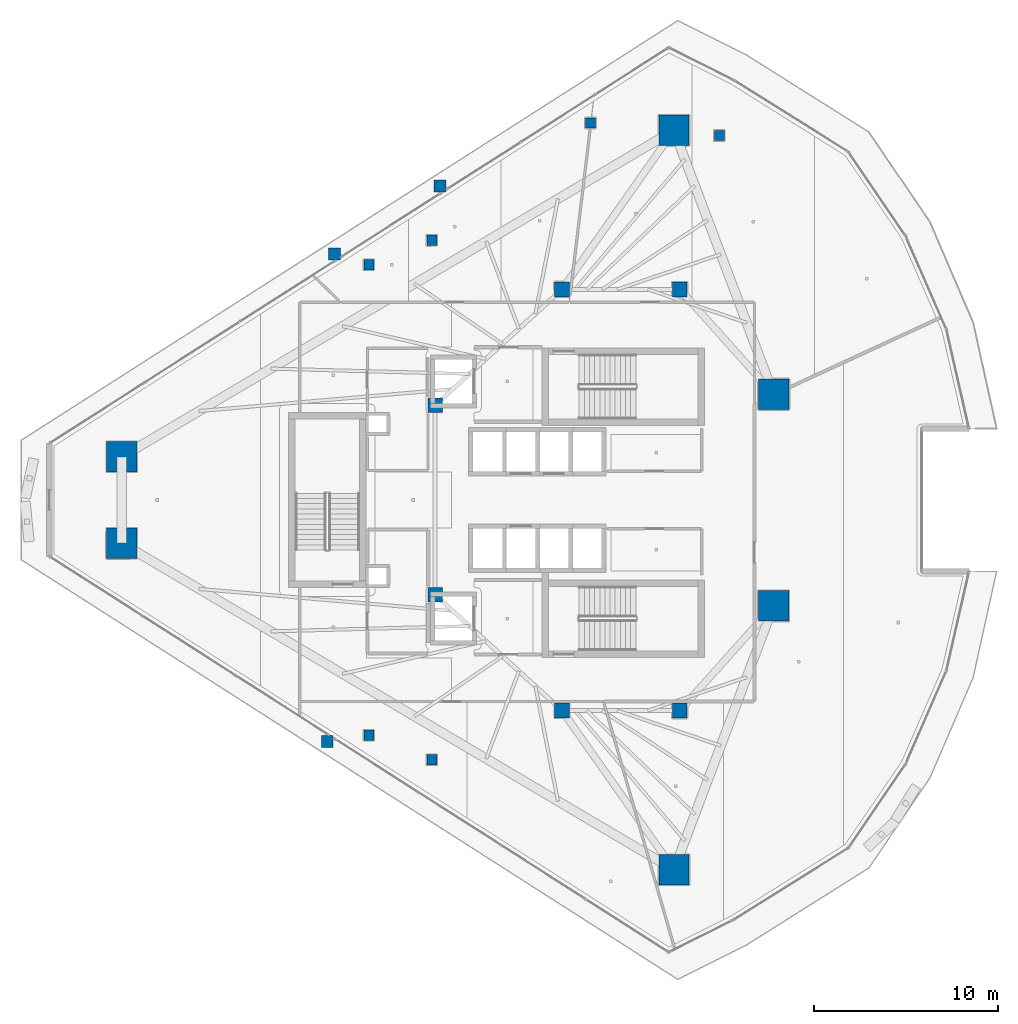
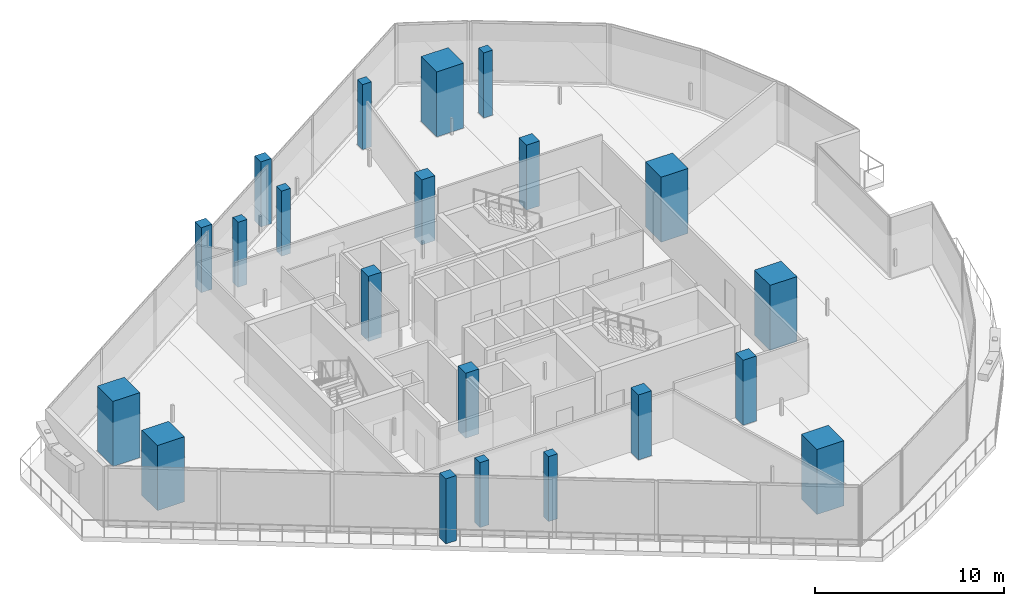
# One storey, part 1 of 31: 21 columns.
"""IFC4 building model written with IfcOpenShell, lengths in metres."""

from ifc_helpers import new_model, si_unit, direction, frame, origin, origin_2d, place, context, subcontext, project, spatial, rectangle, extrude, material, material_profile, profile_set, type_object, element, save


model = new_model("IFC4")

# Units and contexts
model_context = context("Model", 3, precision=1e-05, world=origin(), true_north=direction((0.0, 1.0)))
body_context = subcontext(model_context, "Body", "Model", "MODEL_VIEW")
ifc_project = project(units=[si_unit("LENGTHUNIT", "METRE"), si_unit("AREAUNIT", "SQUARE_METRE"), si_unit("VOLUMEUNIT", "CUBIC_METRE"), si_unit("PLANEANGLEUNIT", "RADIAN"), si_unit("MASSUNIT", "GRAM", prefix="KILO")], contexts=[model_context])

# Site, building, storey
site_placement = place(None, origin())
site = spatial("IfcSite", under=ifc_project, at=site_placement, CompositionType="ELEMENT")
building_placement = place(site_placement, origin())
building = spatial("IfcBuilding", under=site, at=building_placement, Name="Qorvath Tower", CompositionType="ELEMENT")
storey_placement = place(building_placement, frame((0.0, 0.0, 259.800048828125)))
storey = spatial("IfcBuildingStorey", under=building, at=storey_placement, Name="L60", CompositionType="ELEMENT", Elevation=259.800048828125)

# Columns
ifc_material_1 = material(Name="Concrete C60/75", Category="concrete")
ifc_material_profile_1 = material_profile(ifc_material_1, rectangle(XDim=1.64990234375, YDim=1.64990234375, at=origin_2d()), Name="MC 1650x1650")
ifc_profile_set_1 = profile_set([ifc_material_profile_1], Name="Concrete C60/75")
column_type_1 = type_object("IfcColumnType", Name="COL-MC5", PredefinedType="COLUMN", material=ifc_profile_set_1)
for number, where, z_axis, x_axis, name in (
    (1, (-47.53759765625, 2.349609375, 0.0), (0.0, 0.0, 1.0), (1.0, 0.0, 0.0), "Composite Mega-Column MC1 L60"),
    (2, (-47.53759765625, -2.349609375, 0.0), (0.0, 0.0, 1.0), (1.0, 0.0, 0.0), "Composite Mega-Column MC2 L60"),
    (3, (-17.515380859375, -20.1015625, 0.0), (0.0, 0.0, 1.0), (1.0, 0.0, 0.0), "Composite Mega-Column MC3 L60"),
    (4, (-12.0966796875, -5.7578125, 0.0), (0.0, 0.0, 1.0), (1.0, 0.0, 0.0), "Composite Mega-Column MC4 L60"),
    (5, (-12.0966796875, 5.7578125, 0.0), (0.0, 0.0, 1.0), (1.0, 0.0, 0.0), "Composite Mega-Column MC5 L60"),
    (6, (-17.515380859375, 20.1015625, 0.0), (0.0, 0.0, 1.0), (1.0, 0.0, 0.0), "Composite Mega-Column MC6 L60"),
):
    element("IfcColumn", number, at=place(storey_placement, frame(where, z_axis=z_axis, x_axis=x_axis)), inside=storey, type_object=column_type_1, Name=name, PredefinedType="COLUMN", context=body_context, shape_type="SweptSolid", body=[
        extrude(rectangle(XDim=1.64990234375, YDim=1.64990234375, at=origin_2d()), origin(), (0.0, 0.0, 1.0), 4.199951171875),
    ])
ifc_material_2 = material(Name="Concrete C50/60", Category="concrete")
ifc_material_profile_2 = material_profile(ifc_material_2, rectangle(XDim=0.800048828125, YDim=0.800048828125, at=origin_2d()), Name="RC 800x800")
ifc_profile_set_2 = profile_set([ifc_material_profile_2], Name="Concrete C50/60")
column_type_2 = type_object("IfcColumnType", Name="COL-RC4", PredefinedType="COLUMN", material=ifc_profile_set_2)
for number, where, z_axis, x_axis, name in (
    (7, (-23.60009765625, 11.449951171875, 0.0), (0.0, 0.0, 1.0), (1.0, 0.0, 0.0), "Core Spine Column CC1 L60"),
    (8, (-17.199951171875, 11.449951171875, 0.0), (0.0, 0.0, 1.0), (1.0, 0.0, 0.0), "Core Spine Column CC2 L60"),
    (9, (-17.199951171875, -11.449951171875, 0.0), (0.0, 0.0, 1.0), (1.0, 0.0, 0.0), "Core Spine Column CC3 L60"),
    (10, (-23.60009765625, -11.449951171875, 0.0), (0.0, 0.0, 1.0), (1.0, 0.0, 0.0), "Core Spine Column CC4 L60"),
    (11, (-30.5, 5.14990234375, 0.0), (0.0, 0.0, 1.0), (1.0, 0.0, 0.0), "Core Spine Column CC5 L60"),
    (12, (-30.5, -5.14990234375, 0.0), (0.0, 0.0, 1.0), (1.0, 0.0, 0.0), "Core Spine Column CC6 L60"),
):
    element("IfcColumn", number, at=place(storey_placement, frame(where, z_axis=z_axis, x_axis=x_axis)), inside=storey, type_object=column_type_2, Name=name, PredefinedType="COLUMN", context=body_context, shape_type="SweptSolid", body=[
        extrude(rectangle(XDim=0.800048828125, YDim=0.800048828125, at=origin_2d()), origin(), (0.0, 0.0, 1.0), 4.199951171875),
    ])
ifc_material_3 = material(Name="Concrete C45/55", Category="concrete")
ifc_material_profile_3 = material_profile(ifc_material_3, rectangle(XDim=0.64990234375, YDim=0.64990234375, at=origin_2d()), Name="RC 650x650")
ifc_profile_set_3 = profile_set([ifc_material_profile_3], Name="Concrete C45/55")
column_type_3 = type_object("IfcColumnType", Name="COL-RC6", PredefinedType="COLUMN", material=ifc_profile_set_3)
for number, where, z_axis, x_axis, name in (
    (13, (-35.980712890625, 13.380859375, 0.0), (0.0, 0.0, 1.0), (1.0, 0.0, 0.0), "Loggia Frame Pier Column LGF1 L60"),
    (14, (-36.36474609375, -13.135498046875, 0.0), (0.0, 0.0, 1.0), (1.0, 0.0, 0.0), "Loggia Frame Pier Column LGF2 L60"),
    (15, (-30.224853515625, 17.0595703125, 0.0), (0.0, 0.0, 1.0), (1.0, 0.0, 0.0), "Loggia Frame Pier Column LGF3 L60"),
):
    element("IfcColumn", number, at=place(storey_placement, frame(where, z_axis=z_axis, x_axis=x_axis)), inside=storey, type_object=column_type_3, Name=name, PredefinedType="COLUMN", context=body_context, shape_type="SweptSolid", body=[
        extrude(rectangle(XDim=0.64990234375, YDim=0.64990234375, at=origin_2d()), origin(), (0.0, 0.0, 1.0), 4.199951171875),
    ])
ifc_material_4 = material(Name="Concrete C45/55", Category="concrete")
ifc_material_profile_4 = material_profile(ifc_material_4, rectangle(XDim=0.550048828125, YDim=0.550048828125, at=origin_2d()), Name="RC 550x550")
ifc_profile_set_4 = profile_set([ifc_material_profile_4], Name="Concrete C45/55")
column_type_4 = type_object("IfcColumnType", Name="COL-RC7", PredefinedType="COLUMN", material=ifc_profile_set_4)
for number, where, z_axis, x_axis, name in (
    (16, (-34.104248046875, 12.79248046875, 0.0), (0.0, 0.0, 1.0), (1.0, 0.0, 0.0), "Loggia Frame Pier Column LGG1 L60"),
    (17, (-34.104248046875, -12.79248046875, 0.0), (0.0, 0.0, 1.0), (1.0, 0.0, 0.0), "Loggia Frame Pier Column LGG2 L60"),
    (18, (-22.05322265625, 20.494873046875, 0.0), (0.0, 0.0, 1.0), (1.0, 0.0, 0.0), "Loggia Frame Pier Column LGG3 L60"),
    (19, (-30.67724609375, 14.124267578125, 0.0), (0.0, 0.0, 1.0), (1.0, 0.0, 0.0), "Loggia Frame Pier Column LGH1 L60"),
    (20, (-30.67724609375, -14.124267578125, 0.0), (0.0, 0.0, 1.0), (1.0, 0.0, 0.0), "Loggia Frame Pier Column LGH2 L60"),
    (21, (-15.046142578125, 19.818115234375, 0.0), (0.0, 0.0, 1.0), (1.0, 0.0, 0.0), "Loggia Frame Pier Column LGH3 L60"),
):
    element("IfcColumn", number, at=place(storey_placement, frame(where, z_axis=z_axis, x_axis=x_axis)), inside=storey, type_object=column_type_4, Name=name, PredefinedType="COLUMN", context=body_context, shape_type="SweptSolid", body=[
        extrude(rectangle(XDim=0.550048828125, YDim=0.550048828125, at=origin_2d()), origin(), (0.0, 0.0, 1.0), 4.199951171875),
    ])

save(model, "model.ifc")
